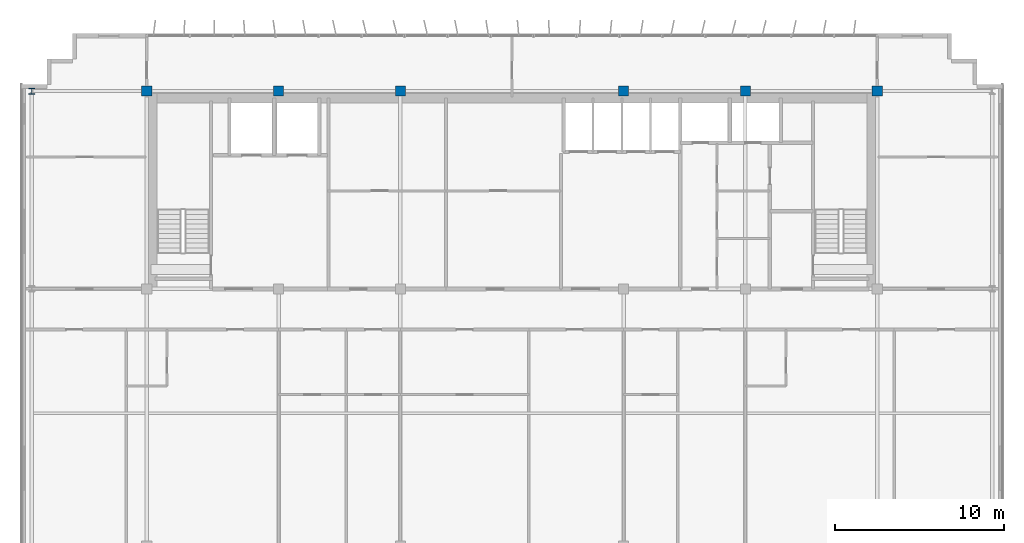
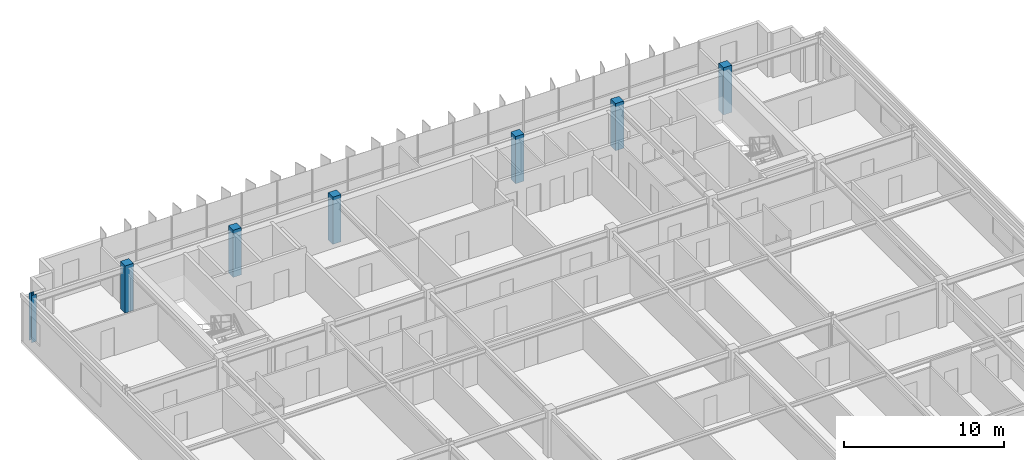
# One storey, part 3 of 22: 7 columns.
"""IFC4 building model written with IfcOpenShell, lengths in metres."""

from ifc_helpers import new_model, si_unit, direction, frame, origin, origin_2d, place, context, subcontext, project, spatial, rectangle, i_section, extrude, source, transform, mapped, material, material_profile, profile_set, type_object, element, save


model = new_model("IFC4")

# Units and contexts
model_context = context("Model", 3, precision=1e-05, world=origin(), true_north=direction((0.0, 1.0)))
body_context = subcontext(model_context, "Body", "Model", "MODEL_VIEW")
ifc_project = project(units=[si_unit("LENGTHUNIT", "METRE"), si_unit("AREAUNIT", "SQUARE_METRE"), si_unit("VOLUMEUNIT", "CUBIC_METRE"), si_unit("PLANEANGLEUNIT", "RADIAN"), si_unit("MASSUNIT", "GRAM", prefix="KILO")], contexts=[model_context])

# Site, building, storey
site_placement = place(None, origin())
site = spatial("IfcSite", under=ifc_project, at=site_placement, CompositionType="ELEMENT")
building_placement = place(site_placement, origin())
building = spatial("IfcBuilding", under=site, at=building_placement, Name="Trelvane Seafront Commons", CompositionType="ELEMENT")
storey_placement = place(building_placement, frame((0.0, 0.0, 284.699951171875)))
storey = spatial("IfcBuildingStorey", under=building, at=storey_placement, Name="L74", CompositionType="ELEMENT", Elevation=284.699951171875)

# Columns
ifc_material_1 = material(Name="Steel SM355 (S355)", Category="steel")
ifc_material_profile_1 = material_profile(ifc_material_1, i_section(OverallWidth=0.35009765625, OverallDepth=0.35009765625, WebThickness=0.01806640625, FlangeThickness=0.028076171875, at=origin_2d()), Name="HD-350x350x18x28")
ifc_profile_set_1 = profile_set([ifc_material_profile_1], Name="Steel SM355 (S355)")
column_type_1 = type_object("IfcColumnType", Name="STR-COL-HD350", PredefinedType="COLUMN", material=ifc_profile_set_1)
shared_shape_1 = source(origin(), body_context, "Body", "SweptSolid", [
    extrude(i_section(OverallWidth=0.35009765625, OverallDepth=0.35009765625, WebThickness=0.01806640625, FlangeThickness=0.028076171875, at=origin_2d()), origin(), (0.0, 0.0, 1.0), 3.60009765625),
])
column_placement = place(storey_placement, frame((8.800048828125, 45.10009765625, 0.0), z_axis=(0.0, 0.0, 1.0), x_axis=(1.0, 0.0, 0.0)))
element("IfcColumn", 1, at=column_placement, inside=storey, type_object=column_type_1, Name="L74 Column TC-CN8.8", PredefinedType="COLUMN", context=body_context, shape_type="MappedRepresentation", body=[
    mapped(shared_shape_1, transform((0.0, 0.0, 0.0), x_axis=(1.0, 0.0, 0.0), y_axis=(0.0, 1.0, 0.0), z_axis=(0.0, 0.0, 1.0), scale=1.0)),
])
ifc_material_2 = material(Name="Concrete C50/60", Category="concrete")
ifc_material_profile_2 = material_profile(ifc_material_2, rectangle(XDim=0.60009765625, YDim=0.60009765625, at=origin_2d()), Name="RC-600x600")
ifc_profile_set_2 = profile_set([ifc_material_profile_2], Name="Concrete C50/60")
column_type_2 = type_object("IfcColumnType", Name="STR-COL-RC600", PredefinedType="COLUMN", material=ifc_profile_set_2)
shared_shape_2 = source(origin(), body_context, "Body", "SweptSolid", [
    extrude(rectangle(XDim=0.60009765625, YDim=0.60009765625, at=origin_2d()), origin(), (0.0, 0.0, 1.0), 3.60009765625),
])
for number, where, z_axis, x_axis, name in (
    (2, (15.60009765625, 45.10009765625, 0.0), (0.0, 0.0, 1.0), (1.0, 0.0, 0.0), "L74 Column TC-CN15.6"),
    (3, (23.39990234375, 45.10009765625, 0.0), (0.0, 0.0, 1.0), (1.0, 0.0, 0.0), "L74 Column TC-CN23.4"),
    (4, (30.60009765625, 45.10009765625, 0.0), (0.0, 0.0, 1.0), (1.0, 0.0, 0.0), "L74 Column TC-CN30.6"),
    (5, (43.800048828125, 45.10009765625, 0.0), (0.0, 0.0, 1.0), (1.0, 0.0, 0.0), "L74 Column TC-CN43.8"),
    (6, (51.0, 45.10009765625, 0.0), (0.0, 0.0, 1.0), (1.0, 0.0, 0.0), "L74 Column TC-CN51.0"),
    (7, (58.800048828125, 45.10009765625, 0.0), (0.0, 0.0, 1.0), (1.0, 0.0, 0.0), "L74 Column TC-CN58.8"),
):
    element("IfcColumn", number, at=place(storey_placement, frame(where, z_axis=z_axis, x_axis=x_axis)), inside=storey, type_object=column_type_2, Name=name, PredefinedType="COLUMN", context=body_context, shape_type="MappedRepresentation", body=[
        mapped(shared_shape_2, transform((0.0, 0.0, 0.0), x_axis=(1.0, 0.0, 0.0), y_axis=(0.0, 1.0, 0.0), z_axis=(0.0, 0.0, 1.0), scale=1.0)),
    ])

save(model, "model.ifc")
